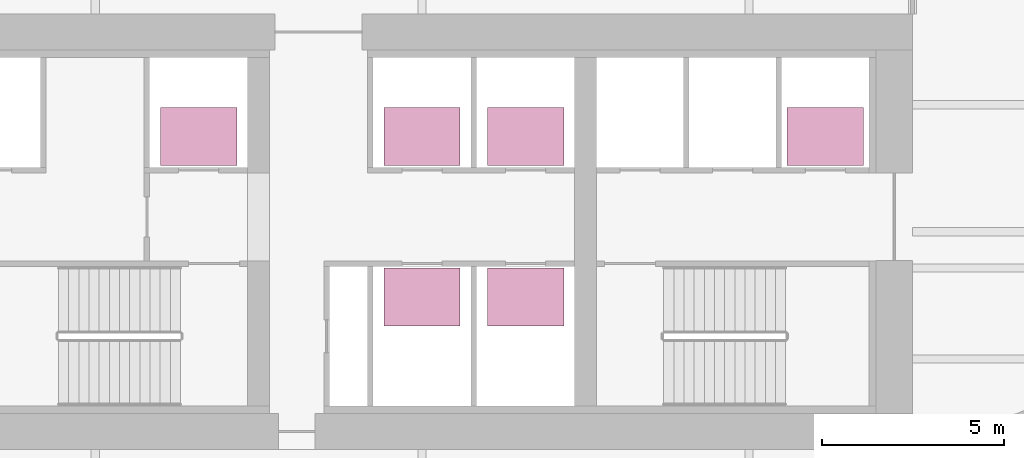
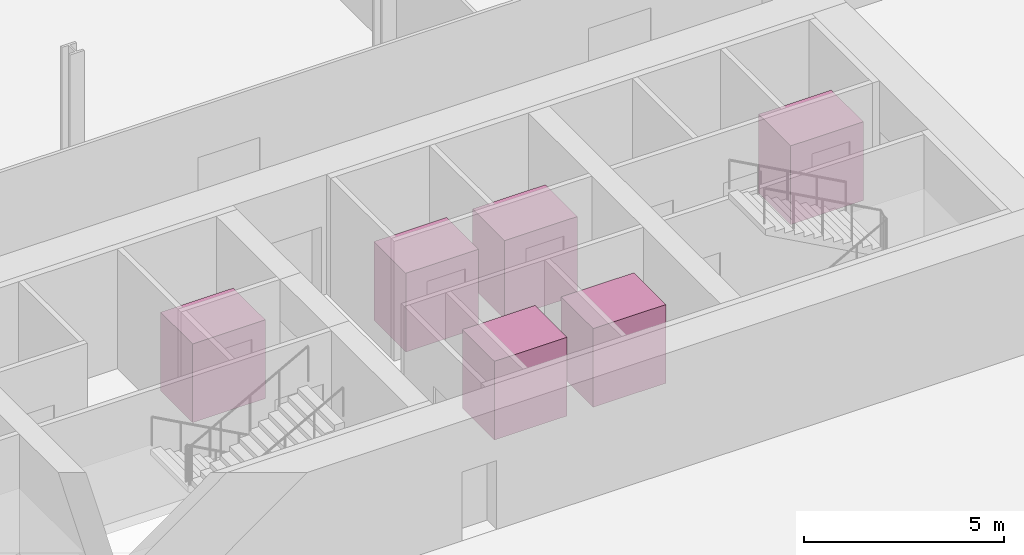
# One storey, part 26 of 26: 6 transport elements.
"""IFC4 building model written with IfcOpenShell, lengths in metres."""

from ifc_helpers import new_model, si_unit, direction, frame, origin, origin_2d, place, context, subcontext, project, spatial, rectangle, extrude, material, type_object, element, save


model = new_model("IFC4")

# Units and contexts
model_context = context("Model", 3, precision=1e-05, world=origin(), true_north=direction((0.0, 1.0)))
body_context = subcontext(model_context, "Body", "Model", "MODEL_VIEW")
ifc_project = project(units=[si_unit("LENGTHUNIT", "METRE"), si_unit("AREAUNIT", "SQUARE_METRE"), si_unit("VOLUMEUNIT", "CUBIC_METRE"), si_unit("PLANEANGLEUNIT", "RADIAN"), si_unit("MASSUNIT", "GRAM", prefix="KILO")], contexts=[model_context])

# Site, building, storey
site_placement = place(None, origin())
site = spatial("IfcSite", under=ifc_project, at=site_placement, CompositionType="ELEMENT")
building_placement = place(site_placement, origin())
building = spatial("IfcBuilding", under=site, at=building_placement, Name="Zellij Exchange Tower", CompositionType="ELEMENT")
storey_placement = place(building_placement, frame((0.0, 0.0, 156.5)))
storey = spatial("IfcBuildingStorey", under=building, at=storey_placement, Name="L35", CompositionType="ELEMENT", Elevation=156.5)

# Transport elements
ifc_material = material(Name="Stainless steel", Category="steel")
transport_element_type = type_object("IfcTransportElementType", Name="CORE-LIFT High-rise car 2100x1600 2000 kg", PredefinedType="ELEVATOR", material=ifc_material)
for number, where, z_axis, x_axis, name in (
    (1, (7.35009765625, -5.375, 0.0), (0.0, 0.0, 1.0), (1.0, 0.0, 0.0), "HR1"),
    (2, (13.5, -5.375, 0.0), (0.0, 0.0, 1.0), (1.0, 0.0, 0.0), "HR2"),
    (3, (16.35009765625, -5.375, 0.0), (0.0, 0.0, 1.0), (1.0, 0.0, 0.0), "HR3"),
    (4, (13.5, -9.800048828125, 0.0), (0.0, 0.0, 1.0), (1.0, 0.0, 0.0), "HR4"),
    (5, (16.35009765625, -9.800048828125, 0.0), (0.0, 0.0, 1.0), (1.0, 0.0, 0.0), "HR5"),
    (6, (24.60009765625, -5.375, 0.0), (0.0, 0.0, 1.0), (1.0, 0.0, 0.0), "HR6"),
):
    element("IfcTransportElement", number, at=place(storey_placement, frame(where, z_axis=z_axis, x_axis=x_axis)), inside=storey, type_object=transport_element_type, Name=name, PredefinedType="ELEVATOR", context=body_context, shape_type="SweptSolid", body=[
        extrude(rectangle(XDim=2.10009765625, YDim=1.60009765625, at=origin_2d()), origin(), (0.0, 0.0, 1.0), 2.39990234375),
    ])

save(model, "model.ifc")
